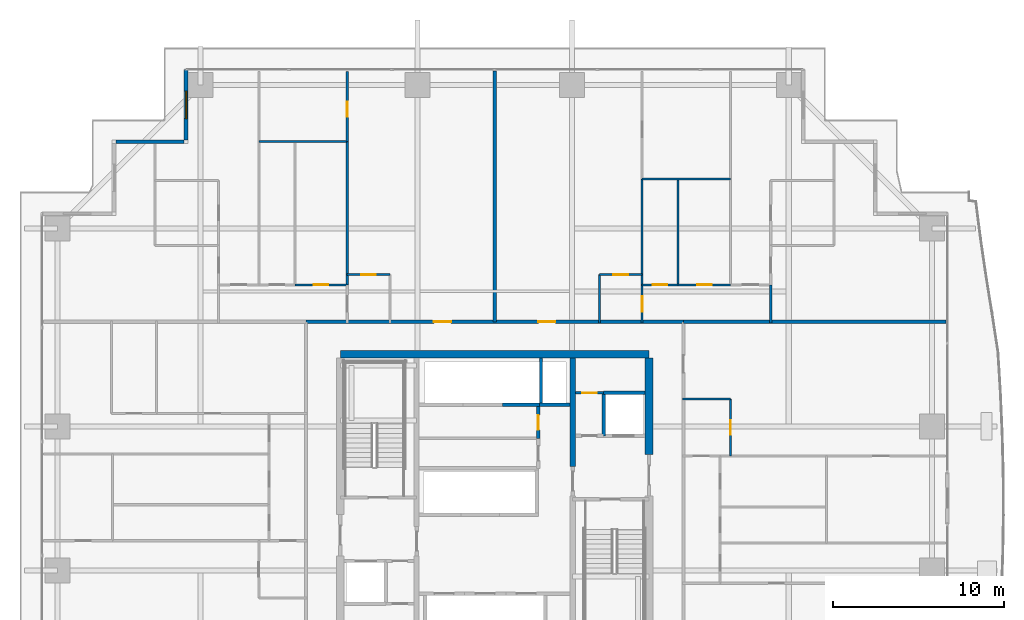
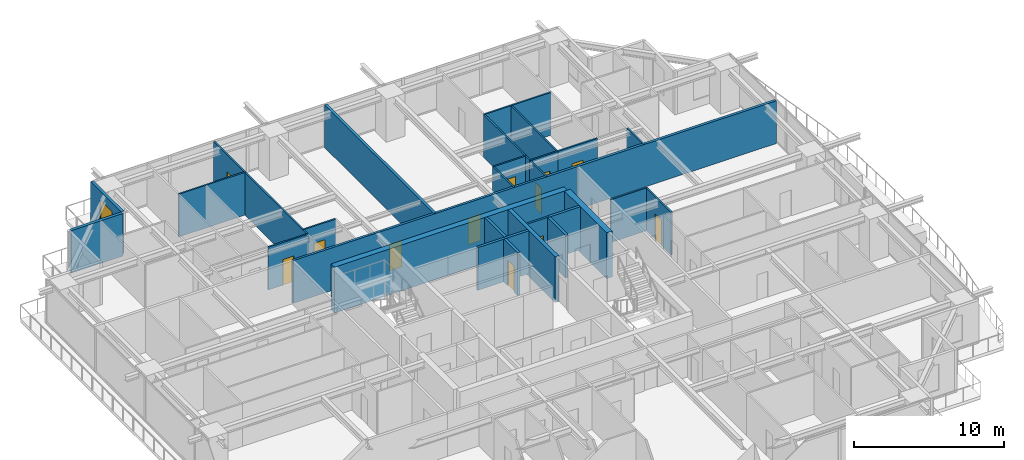
# One storey, part 31 of 39: 31 walls, 12 doors, 1 window, 13 openings.
"""IFC4 building model written with IfcOpenShell, lengths in metres."""

from ifc_helpers import new_model, si_unit, direction, frame, frame_2d, origin, place, context, subcontext, project, spatial, rectangle, extrude, source, transform, mapped, material, layer, layer_set, type_object, element, fill, save


model = new_model("IFC4")

# Units and contexts
model_context = context("Model", 3, precision=1e-05, world=origin(), true_north=direction((0.0, 1.0)))
body_context = subcontext(model_context, "Body", "Model", "MODEL_VIEW")
ifc_project = project(units=[si_unit("LENGTHUNIT", "METRE"), si_unit("AREAUNIT", "SQUARE_METRE"), si_unit("VOLUMEUNIT", "CUBIC_METRE"), si_unit("PLANEANGLEUNIT", "RADIAN"), si_unit("MASSUNIT", "GRAM", prefix="KILO")], contexts=[model_context])

# Site, building, storey
site_placement = place(None, origin())
site = spatial("IfcSite", under=ifc_project, at=site_placement, CompositionType="ELEMENT")
building_placement = place(site_placement, origin())
building = spatial("IfcBuilding", under=site, at=building_placement, Name="Serunith Strait Residences", CompositionType="ELEMENT")
storey_placement = place(building_placement, frame((0.0, 0.0, 94.199951171875)))
storey = spatial("IfcBuildingStorey", under=building, at=storey_placement, Name="L23", CompositionType="ELEMENT", Elevation=94.199951171875)

# Wall, opening, window
ifc_material_1 = material(Name="Pale-Champagne Aluminium Insulated Panel", Category="aluminium")
ifc_layer_1 = layer(ifc_material_1, 0.219970703125, Name="Pale-Champagne Aluminium Insulated Panel")
ifc_layer_set_1 = layer_set([ifc_layer_1], Name="Pale-Champagne Aluminium Insulated Panel")
wall_type_1 = type_object("IfcWallType", Name="EW-ALUM-220", PredefinedType="ELEMENTEDWALL", material=ifc_layer_set_1)
wall_1_placement = place(storey_placement, frame((14.39990234375, 50.199951171875, 0.0), z_axis=(0.0, 0.0, 1.0), x_axis=(0.0, -1.0, 0.0)))
wall_1 = element("IfcWall", 1, at=wall_1_placement, inside=storey, type_object=wall_type_1, Name="L23 Girih Serrated Corner Wall 12", PredefinedType="ELEMENTEDWALL", context=body_context, shape_type="SweptSolid", body=[
    extrude(rectangle(XDim=4.08984375, YDim=0.219970703125, at=frame_2d((2.044921875, 0.0))), origin(), (0.0, 0.0, 1.0), 3.47509765625),
])
opening_1_placement = place(wall_1_placement, frame((1.2451171875, 0.0, 0.64990234375)))
opening_1 = element("IfcOpeningElement", 2, at=opening_1_placement, cuts=wall_1, Name="Opening W-02", PredefinedType="OPENING", context=body_context, shape_type="SweptSolid", body=[
    extrude(rectangle(XDim=1.60009765625, YDim=2.10009765625, at=frame_2d((0.800048828125, 1.050048828125))), frame((0.0, 0.1201171875, 0.0), z_axis=(0.0, -1.0, 0.0), x_axis=(1.0, 0.0, 0.0)), (0.0, 0.0, 1.0), 0.239990234375),
])
ifc_material_2 = material(Name="Ceramic-Fritted Operable Aluminium Window Glass", Category="aluminium")
window_type = type_object("IfcWindowType", Name="WIN-C2", PartitioningType="DOUBLE_PANEL_VERTICAL", PredefinedType="WINDOW", material=ifc_material_2)
shared_shape_1 = source(origin(), body_context, "Body", "SweptSolid", [
    extrude(rectangle(XDim=1.60009765625, YDim=2.10009765625, at=frame_2d((0.800048828125, 1.050048828125))), frame((0.0, 0.030029296875, 0.0), z_axis=(0.0, -1.0, 0.0), x_axis=(1.0, 0.0, 0.0)), (0.0, 0.0, 1.0), 0.06005859375),
])
window_placement = place(opening_1_placement, origin())
window = element("IfcWindow", 3, at=window_placement, inside=storey, type_object=window_type, Name="L23 Corner Operable Fritted Window 12", OverallHeight=2.10009765625, OverallWidth=1.60009765625, PartitioningType="SINGLE_PANEL", PredefinedType="WINDOW", context=body_context, shape_type="MappedRepresentation", body=[
    mapped(shared_shape_1, transform((0.0, 0.0, 0.0), scale=1.0)),
])
fill(opening_1, window)

# Wall
wall_2_placement = place(storey_placement, frame((14.2900390625, 46.0, 0.0), z_axis=(0.0, 0.0, 1.0), x_axis=(-1.0, 0.0, 0.0)))
element("IfcWall", 4, at=wall_2_placement, inside=storey, type_object=wall_type_1, Name="L23 Girih Serrated Corner Wall 13", PredefinedType="ELEMENTEDWALL", context=body_context, shape_type="SweptSolid", body=[
    extrude(rectangle(XDim=3.97998046875, YDim=0.219970703125, at=frame_2d((1.989990234375, 0.0))), origin(), (0.0, 0.0, 1.0), 3.47509765625),
])

# Wall, opening, door
ifc_material_3 = material(Name="Fire-rated masonry service closet wall", Category="masonry")
ifc_layer_2 = layer(ifc_material_3, 0.14990234375, Name="Fire-rated masonry service closet wall")
ifc_layer_set_2 = layer_set([ifc_layer_2], Name="Fire-rated masonry service closet wall")
wall_type_2 = type_object("IfcWallType", Name="IW-BOH-150", PredefinedType="PARTITIONING", material=ifc_layer_set_2)
wall_3_placement = place(storey_placement, frame((37.10009765625, 31.35009765625, 0.0), z_axis=(0.0, 0.0, 1.0), x_axis=(1.0, 0.0, 0.0)))
wall_3 = element("IfcWall", 5, at=wall_3_placement, inside=storey, type_object=wall_type_2, Name="L23 Partition Wall 013", PredefinedType="PARTITIONING", context=body_context, shape_type="SweptSolid", body=[
    extrude(rectangle(XDim=1.64794921875, YDim=0.14990234375, at=frame_2d((0.823974609375, 0.0))), origin(), (0.0, 0.0, 1.0), 3.489990234375),
])
opening_2_placement = place(wall_3_placement, frame((0.39892578125, 0.0, 0.0)))
opening_2 = element("IfcOpeningElement", 6, at=opening_2_placement, cuts=wall_3, Name="Opening FD-850", PredefinedType="OPENING", context=body_context, shape_type="SweptSolid", body=[
    extrude(rectangle(XDim=0.85009765625, YDim=2.10009765625, at=frame_2d((0.425048828125, 1.050048828125))), frame((0.0, 0.0849609375, 0.0), z_axis=(0.0, -1.0, 0.0), x_axis=(1.0, 0.0, 0.0)), (0.0, 0.0, 1.0), 0.169921875),
])
ifc_material_4 = material(Name="Powder-coated steel service closet door", Category="steel")
door_type_1 = type_object("IfcDoorType", Name="FD-BOH-850", OperationType="NOTDEFINED", PredefinedType="DOOR", material=ifc_material_4)
shared_shape_2 = source(origin(), body_context, "Body", "SweptSolid", [
    extrude(rectangle(XDim=0.85009765625, YDim=2.10009765625, at=frame_2d((0.425048828125, 1.050048828125))), frame((0.0, 0.02490234375, 0.0), z_axis=(0.0, -1.0, 0.0), x_axis=(1.0, 0.0, 0.0)), (0.0, 0.0, 1.0), 0.050048828125),
])
door_1_placement = place(opening_2_placement, origin())
door_1 = element("IfcDoor", 7, at=door_1_placement, inside=storey, type_object=door_type_1, Name="L23 Refuse Store Door", OperationType="SINGLE_SWING_LEFT", OverallHeight=2.10009765625, OverallWidth=0.85009765625, PredefinedType="DOOR", context=body_context, shape_type="MappedRepresentation", body=[
    mapped(shared_shape_2, transform((0.0, 0.0, 0.0), scale=1.0)),
])
fill(opening_2, door_1)

# Wall, openings, doors
ifc_material_5 = material(Name="Fire-rated acoustic gypsum partition")
ifc_layer_3 = layer(ifc_material_5, 0.179931640625, Name="Fire-rated acoustic gypsum partition")
ifc_layer_set_3 = layer_set([ifc_layer_3], Name="Fire-rated acoustic gypsum partition")
wall_type_3 = type_object("IfcWallType", Name="IW-CORR-180", PredefinedType="PARTITIONING", material=ifc_layer_set_3)
wall_4_placement = place(storey_placement, frame((21.402099609375, 35.5, 0.0), z_axis=(0.0, 0.0, 1.0), x_axis=(1.0, 0.0, 0.0)))
wall_4 = element("IfcWall", 8, at=wall_4_placement, inside=storey, type_object=wall_type_3, Name="L23 Partition Wall 023", PredefinedType="PARTITIONING", context=body_context, shape_type="SweptSolid", body=[
    extrude(rectangle(XDim=21.995849609375, YDim=0.179931640625, at=frame_2d((10.998046875, 0.0))), origin(), (0.0, 0.0, 1.0), 3.489990234375),
])
opening_3_placement = place(wall_4_placement, frame((7.4541015625, 0.0, 0.0)))
opening_3 = element("IfcOpeningElement", 9, at=opening_3_placement, cuts=wall_4, Name="Opening D-APT1000", PredefinedType="OPENING", context=body_context, shape_type="SweptSolid", body=[
    extrude(rectangle(XDim=1.0, YDim=2.14990234375, at=frame_2d((0.5, 1.074951171875))), frame((0.0, 0.10009765625, 0.0), z_axis=(0.0, -1.0, 0.0), x_axis=(1.0, 0.0, 0.0)), (0.0, 0.0, 1.0), 0.199951171875),
])
opening_4_placement = place(wall_4_placement, frame((13.5419921875, 0.0, 0.0)))
opening_4 = element("IfcOpeningElement", 10, at=opening_4_placement, cuts=wall_4, Name="Opening D-APT1000", PredefinedType="OPENING", context=body_context, shape_type="SweptSolid", body=[
    extrude(rectangle(XDim=1.0, YDim=2.14990234375, at=frame_2d((0.5, 1.074951171875))), frame((0.0, 0.10009765625, 0.0), z_axis=(0.0, -1.0, 0.0), x_axis=(1.0, 0.0, 0.0)), (0.0, 0.0, 1.0), 0.199951171875),
])
ifc_material_6 = material(Name="Solid timber engineered fire door", Category="wood")
door_type_2 = type_object("IfcDoorType", Name="ID-APT-1000", OperationType="NOTDEFINED", PredefinedType="DOOR", material=ifc_material_6)
shared_shape_3 = source(origin(), body_context, "Body", "SweptSolid", [
    extrude(rectangle(XDim=1.0, YDim=2.14990234375, at=frame_2d((0.5, 1.074951171875))), frame((0.0, 0.02490234375, 0.0), z_axis=(0.0, -1.0, 0.0), x_axis=(1.0, 0.0, 0.0)), (0.0, 0.0, 1.0), 0.050048828125),
])
door_2_placement = place(opening_3_placement, origin())
door_2 = element("IfcDoor", 11, at=door_2_placement, inside=storey, type_object=door_type_2, Name="L23 Unit 02 Entrance Door", OperationType="SINGLE_SWING_LEFT", OverallHeight=2.14990234375, OverallWidth=1.0, PredefinedType="DOOR", context=body_context, shape_type="MappedRepresentation", body=[
    mapped(shared_shape_3, transform((0.0, 0.0, 0.0), scale=1.0)),
])
fill(opening_3, door_2)
door_3_placement = place(opening_4_placement, origin())
door_3 = element("IfcDoor", 12, at=door_3_placement, inside=storey, type_object=door_type_2, Name="L23 Unit 03 Entrance Door", OperationType="SINGLE_SWING_RIGHT", OverallHeight=2.14990234375, OverallWidth=1.0, PredefinedType="DOOR", context=body_context, shape_type="MappedRepresentation", body=[
    mapped(shared_shape_3, transform((0.0, 0.0, 0.0), scale=1.0)),
])
fill(opening_4, door_3)

# Wall, opening, door
ifc_material_7 = material(Name="Lightweight steel-stud gypsum partition", Category="steel")
ifc_layer_4 = layer(ifc_material_7, 0.1201171875, Name="Lightweight steel-stud gypsum partition")
ifc_layer_set_4 = layer_set([ifc_layer_4], Name="Lightweight steel-stud gypsum partition")
wall_type_4 = type_object("IfcWallType", Name="IW-PART-120", PredefinedType="PARTITIONING", material=ifc_layer_set_4)
wall_5_placement = place(storey_placement, frame((23.800048828125, 38.25, 0.0), z_axis=(0.0, 0.0, 1.0), x_axis=(1.0, 0.0, 0.0)))
wall_5 = element("IfcWall", 13, at=wall_5_placement, inside=storey, type_object=wall_type_4, Name="L23 Partition Wall 058", PredefinedType="PARTITIONING", context=body_context, shape_type="SweptSolid", body=[
    extrude(rectangle(XDim=2.5, YDim=0.1201171875, at=frame_2d((1.25, 0.0))), origin(), (0.0, 0.0, 1.0), 3.489990234375),
])
opening_5_placement = place(wall_5_placement, frame((0.824951171875, 0.0, 0.0)))
opening_5 = element("IfcOpeningElement", 14, at=opening_5_placement, cuts=wall_5, Name="Opening D-RM850", PredefinedType="OPENING", context=body_context, shape_type="SweptSolid", body=[
    extrude(rectangle(XDim=0.85009765625, YDim=2.10009765625, at=frame_2d((0.425048828125, 1.050048828125))), frame((0.0, 0.070068359375, 0.0), z_axis=(0.0, -1.0, 0.0), x_axis=(1.0, 0.0, 0.0)), (0.0, 0.0, 1.0), 0.14013671875),
])
ifc_material_8 = material(Name="Engineered timber flush study and kitchen door", Category="wood")
door_type_3 = type_object("IfcDoorType", Name="ID-ROOM-850", OperationType="NOTDEFINED", PredefinedType="DOOR", material=ifc_material_8)
door_4_placement = place(opening_5_placement, origin())
door_4 = element("IfcDoor", 15, at=door_4_placement, inside=storey, type_object=door_type_3, Name="L23 Kitchen 2302 Door", OperationType="SINGLE_SWING_RIGHT", OverallHeight=2.10009765625, OverallWidth=0.85009765625, PredefinedType="DOOR", context=body_context, shape_type="MappedRepresentation", body=[
    mapped(shared_shape_2, transform((0.0, 0.0, 0.0), scale=1.0)),
])
fill(opening_5, door_4)

wall_6_placement = place(storey_placement, frame((23.800048828125, 50.10498046875, 0.0), z_axis=(0.0, 0.0, 1.0), x_axis=(0.0, -1.0, 0.0)))
wall_6 = element("IfcWall", 16, at=wall_6_placement, inside=storey, type_object=wall_type_4, Name="L23 Partition Wall 061", PredefinedType="PARTITIONING", context=body_context, shape_type="SweptSolid", body=[
    extrude(rectangle(XDim=4.10009765625, YDim=0.1201171875, at=frame_2d((2.050048828125, 0.0))), origin(), (0.0, 0.0, 1.0), 3.489990234375),
])
opening_6_placement = place(wall_6_placement, frame((1.760009765625, 0.0, 0.0)))
opening_6 = element("IfcOpeningElement", 17, at=opening_6_placement, cuts=wall_6, Name="Opening D-RM900", PredefinedType="OPENING", context=body_context, shape_type="SweptSolid", body=[
    extrude(rectangle(XDim=0.89990234375, YDim=2.10009765625, at=frame_2d((0.449951171875, 1.050048828125))), frame((0.0, 0.070068359375, 0.0), z_axis=(0.0, -1.0, 0.0), x_axis=(1.0, 0.0, 0.0)), (0.0, 0.0, 1.0), 0.14013671875),
])
ifc_material_9 = material(Name="Engineered timber flush bedroom door", Category="wood")
door_type_4 = type_object("IfcDoorType", Name="ID-ROOM-900", OperationType="NOTDEFINED", PredefinedType="DOOR", material=ifc_material_9)
shared_shape_4 = source(origin(), body_context, "Body", "SweptSolid", [
    extrude(rectangle(XDim=0.89990234375, YDim=2.10009765625, at=frame_2d((0.449951171875, 1.050048828125))), frame((0.0, 0.02490234375, 0.0), z_axis=(0.0, -1.0, 0.0), x_axis=(1.0, 0.0, 0.0)), (0.0, 0.0, 1.0), 0.050048828125),
])
door_5_placement = place(opening_6_placement, origin())
door_5 = element("IfcDoor", 18, at=door_5_placement, inside=storey, type_object=door_type_4, Name="L23 Study 1 2302 Door", OperationType="SINGLE_SWING_RIGHT", OverallHeight=2.10009765625, OverallWidth=0.89990234375, PredefinedType="DOOR", context=body_context, shape_type="MappedRepresentation", body=[
    mapped(shared_shape_4, transform((0.0, 0.0, 0.0), scale=1.0)),
])
fill(opening_6, door_5)

# Walls
wall_7_placement = place(storey_placement, frame((23.800048828125, 46.0029296875, 0.0), z_axis=(0.0, 0.0, 1.0), x_axis=(0.0, -1.0, 0.0)))
element("IfcWall", 19, at=wall_7_placement, inside=storey, type_object=wall_type_4, Name="L23 Partition Wall 062", PredefinedType="PARTITIONING", context=body_context, shape_type="SweptSolid", body=[
    extrude(rectangle(XDim=8.350830078125, YDim=0.1201171875, at=frame_2d((4.17529296875, 0.0))), origin(), (0.0, 0.0, 1.0), 3.489990234375),
])
wall_8_placement = place(storey_placement, frame((18.64990234375, 46.0048828125, 0.0), z_axis=(0.0, 0.0, 1.0), x_axis=(1.0, 0.0, 0.0)))
element("IfcWall", 20, at=wall_8_placement, inside=storey, type_object=wall_type_4, Name="L23 Partition Wall 063", PredefinedType="PARTITIONING", context=body_context, shape_type="SweptSolid", body=[
    extrude(rectangle(XDim=5.150146484375, YDim=0.1201171875, at=frame_2d((2.5751953125, 0.0))), origin(), (0.0, 0.0, 1.0), 3.489990234375),
])

# Wall, opening, door
wall_9_placement = place(storey_placement, frame((20.751953125, 37.64990234375, 0.0), z_axis=(0.0, 0.0, 1.0), x_axis=(1.0, 0.0, 0.0)))
wall_9 = element("IfcWall", 21, at=wall_9_placement, inside=storey, type_object=wall_type_4, Name="L23 Partition Wall 067", PredefinedType="PARTITIONING", context=body_context, shape_type="SweptSolid", body=[
    extrude(rectangle(XDim=3.048095703125, YDim=0.1201171875, at=frame_2d((1.52392578125, 0.0))), origin(), (0.0, 0.0, 1.0), 3.489990234375),
])
opening_7_placement = place(wall_9_placement, frame((1.09912109375, 0.0, 0.0)))
opening_7 = element("IfcOpeningElement", 22, at=opening_7_placement, cuts=wall_9, Name="Opening D-RM850", PredefinedType="OPENING", context=body_context, shape_type="SweptSolid", body=[
    extrude(rectangle(XDim=0.85009765625, YDim=2.10009765625, at=frame_2d((0.425048828125, 1.050048828125))), frame((0.0, 0.070068359375, 0.0), z_axis=(0.0, -1.0, 0.0), x_axis=(1.0, 0.0, 0.0)), (0.0, 0.0, 1.0), 0.14013671875),
])
door_6_placement = place(opening_7_placement, origin())
door_6 = element("IfcDoor", 23, at=door_6_placement, inside=storey, type_object=door_type_3, Name="L23 Study 2302 Door", OperationType="SINGLE_SWING_RIGHT", OverallHeight=2.10009765625, OverallWidth=0.85009765625, PredefinedType="DOOR", context=body_context, shape_type="MappedRepresentation", body=[
    mapped(shared_shape_2, transform((0.0, 0.0, 0.0), scale=1.0)),
])
fill(opening_7, door_6)

wall_10_placement = place(storey_placement, frame((38.5, 38.25, 0.0), z_axis=(0.0, 0.0, 1.0), x_axis=(1.0, 0.0, 0.0)))
wall_10 = element("IfcWall", 24, at=wall_10_placement, inside=storey, type_object=wall_type_4, Name="L23 Partition Wall 075", PredefinedType="PARTITIONING", context=body_context, shape_type="SweptSolid", body=[
    extrude(rectangle(XDim=2.5, YDim=0.1201171875, at=frame_2d((1.25, 0.0))), origin(), (0.0, 0.0, 1.0), 3.489990234375),
])
opening_8_placement = place(wall_10_placement, frame((0.824951171875, 0.0, 0.0)))
opening_8 = element("IfcOpeningElement", 25, at=opening_8_placement, cuts=wall_10, Name="Opening D-RM850", PredefinedType="OPENING", context=body_context, shape_type="SweptSolid", body=[
    extrude(rectangle(XDim=0.85009765625, YDim=2.10009765625, at=frame_2d((0.425048828125, 1.050048828125))), frame((0.0, 0.070068359375, 0.0), z_axis=(0.0, -1.0, 0.0), x_axis=(1.0, 0.0, 0.0)), (0.0, 0.0, 1.0), 0.14013671875),
])
door_7_placement = place(opening_8_placement, origin())
door_7 = element("IfcDoor", 26, at=door_7_placement, inside=storey, type_object=door_type_3, Name="L23 Kitchen 2303 Door", OperationType="SINGLE_SWING_RIGHT", OverallHeight=2.10009765625, OverallWidth=0.85009765625, PredefinedType="DOOR", context=body_context, shape_type="MappedRepresentation", body=[
    mapped(shared_shape_2, transform((0.0, 0.0, 0.0), scale=1.0)),
])
fill(opening_8, door_7)

# Wall
wall_11_placement = place(storey_placement, frame((38.5, 38.25, 0.0), z_axis=(0.0, 0.0, 1.0), x_axis=(0.0, -1.0, 0.0)))
element("IfcWall", 27, at=wall_11_placement, inside=storey, type_object=wall_type_4, Name="L23 Partition Wall 076", PredefinedType="PARTITIONING", context=body_context, shape_type="SweptSolid", body=[
    extrude(rectangle(XDim=2.81005859375, YDim=0.1201171875, at=frame_2d((1.405029296875, 0.0))), origin(), (0.0, 0.0, 1.0), 3.489990234375),
])

# Wall, opening, door
wall_12_placement = place(storey_placement, frame((41.0, 37.64990234375, 0.0), z_axis=(0.0, 0.0, 1.0), x_axis=(0.0, -1.0, 0.0)))
wall_12 = element("IfcWall", 28, at=wall_12_placement, inside=storey, type_object=wall_type_4, Name="L23 Partition Wall 077", PredefinedType="PARTITIONING", context=body_context, shape_type="SweptSolid", body=[
    extrude(rectangle(XDim=2.2099609375, YDim=0.1201171875, at=frame_2d((1.10498046875, 0.0))), origin(), (0.0, 0.0, 1.0), 3.489990234375),
])
opening_9_placement = place(wall_12_placement, frame((0.655029296875, 0.0, 0.0)))
opening_9 = element("IfcOpeningElement", 29, at=opening_9_placement, cuts=wall_12, Name="Opening D-RM900", PredefinedType="OPENING", context=body_context, shape_type="SweptSolid", body=[
    extrude(rectangle(XDim=0.89990234375, YDim=2.10009765625, at=frame_2d((0.449951171875, 1.050048828125))), frame((0.0, 0.070068359375, 0.0), z_axis=(0.0, -1.0, 0.0), x_axis=(1.0, 0.0, 0.0)), (0.0, 0.0, 1.0), 0.14013671875),
])
door_8_placement = place(opening_9_placement, origin())
door_8 = element("IfcDoor", 30, at=door_8_placement, inside=storey, type_object=door_type_4, Name="L23 Hall E 2303 Door", OperationType="SINGLE_SWING_LEFT", OverallHeight=2.10009765625, OverallWidth=0.89990234375, PredefinedType="DOOR", context=body_context, shape_type="MappedRepresentation", body=[
    mapped(shared_shape_4, transform((0.0, 0.0, 0.0), scale=1.0)),
])
fill(opening_9, door_8)

# Walls
wall_13_placement = place(storey_placement, frame((41.0, 43.833984375, 0.0), z_axis=(0.0, 0.0, 1.0), x_axis=(0.0, -1.0, 0.0)))
element("IfcWall", 31, at=wall_13_placement, inside=storey, type_object=wall_type_4, Name="L23 Partition Wall 079", PredefinedType="PARTITIONING", context=body_context, shape_type="SweptSolid", body=[
    extrude(rectangle(XDim=6.181884765625, YDim=0.1201171875, at=frame_2d((3.0908203125, 0.0))), origin(), (0.0, 0.0, 1.0), 3.489990234375),
])
wall_14_placement = place(storey_placement, frame((41.0, 43.8359375, 0.0), z_axis=(0.0, 0.0, 1.0), x_axis=(1.0, 0.0, 0.0)))
element("IfcWall", 32, at=wall_14_placement, inside=storey, type_object=wall_type_4, Name="L23 Partition Wall 080", PredefinedType="PARTITIONING", context=body_context, shape_type="SweptSolid", body=[
    extrude(rectangle(XDim=5.14990234375, YDim=0.1201171875, at=frame_2d((2.574951171875, 0.0))), origin(), (0.0, 0.0, 1.0), 3.489990234375),
])
wall_15_placement = place(storey_placement, frame((43.10009765625, 43.8359375, 0.0), z_axis=(0.0, 0.0, 1.0), x_axis=(0.0, -1.0, 0.0)))
element("IfcWall", 33, at=wall_15_placement, inside=storey, type_object=wall_type_4, Name="L23 Partition Wall 082", PredefinedType="PARTITIONING", context=body_context, shape_type="SweptSolid", body=[
    extrude(rectangle(XDim=6.18603515625, YDim=0.1201171875, at=frame_2d((3.093017578125, 0.0))), origin(), (0.0, 0.0, 1.0), 3.489990234375),
])

# Wall, opening, door
wall_16_placement = place(storey_placement, frame((41.0, 37.64990234375, 0.0), z_axis=(0.0, 0.0, 1.0), x_axis=(1.0, 0.0, 0.0)))
wall_16 = element("IfcWall", 34, at=wall_16_placement, inside=storey, type_object=wall_type_4, Name="L23 Partition Wall 083", PredefinedType="PARTITIONING", context=body_context, shape_type="SweptSolid", body=[
    extrude(rectangle(XDim=2.10009765625, YDim=0.1201171875, at=frame_2d((1.050048828125, 0.0))), origin(), (0.0, 0.0, 1.0), 3.489990234375),
])
opening_10_placement = place(wall_16_placement, frame((0.625, 0.0, 0.0)))
opening_10 = element("IfcOpeningElement", 35, at=opening_10_placement, cuts=wall_16, Name="Opening D-BTH850", PredefinedType="OPENING", context=body_context, shape_type="SweptSolid", body=[
    extrude(rectangle(XDim=0.85009765625, YDim=2.10009765625, at=frame_2d((0.425048828125, 1.050048828125))), frame((0.0, 0.070068359375, 0.0), z_axis=(0.0, -1.0, 0.0), x_axis=(1.0, 0.0, 0.0)), (0.0, 0.0, 1.0), 0.14013671875),
])
ifc_material_10 = material(Name="Moisture-resistant timber bathroom door", Category="wood")
door_type_5 = type_object("IfcDoorType", Name="ID-BATH-850", OperationType="NOTDEFINED", PredefinedType="DOOR", material=ifc_material_10)
door_9_placement = place(opening_10_placement, origin())
door_9 = element("IfcDoor", 36, at=door_9_placement, inside=storey, type_object=door_type_5, Name="L23 Bathroom 2303 Door", OperationType="SINGLE_SWING_LEFT", OverallHeight=2.10009765625, OverallWidth=0.85009765625, PredefinedType="DOOR", context=body_context, shape_type="MappedRepresentation", body=[
    mapped(shared_shape_2, transform((0.0, 0.0, 0.0), scale=1.0)),
])
fill(opening_10, door_9)

wall_17_placement = place(storey_placement, frame((43.10205078125, 37.64990234375, 0.0), z_axis=(0.0, 0.0, 1.0), x_axis=(1.0, 0.0, 0.0)))
wall_17 = element("IfcWall", 37, at=wall_17_placement, inside=storey, type_object=wall_type_4, Name="L23 Partition Wall 084", PredefinedType="PARTITIONING", context=body_context, shape_type="SweptSolid", body=[
    extrude(rectangle(XDim=3.0478515625, YDim=0.1201171875, at=frame_2d((1.52392578125, 0.0))), origin(), (0.0, 0.0, 1.0), 3.489990234375),
])
opening_11_placement = place(wall_17_placement, frame((1.09912109375, 0.0, 0.0)))
opening_11 = element("IfcOpeningElement", 38, at=opening_11_placement, cuts=wall_17, Name="Opening D-RM850", PredefinedType="OPENING", context=body_context, shape_type="SweptSolid", body=[
    extrude(rectangle(XDim=0.85009765625, YDim=2.10009765625, at=frame_2d((0.425048828125, 1.050048828125))), frame((0.0, 0.070068359375, 0.0), z_axis=(0.0, -1.0, 0.0), x_axis=(1.0, 0.0, 0.0)), (0.0, 0.0, 1.0), 0.14013671875),
])
door_10_placement = place(opening_11_placement, origin())
door_10 = element("IfcDoor", 39, at=door_10_placement, inside=storey, type_object=door_type_3, Name="L23 Laundry Room 2303 Door", OperationType="SINGLE_SWING_RIGHT", OverallHeight=2.10009765625, OverallWidth=0.85009765625, PredefinedType="DOOR", context=body_context, shape_type="MappedRepresentation", body=[
    mapped(shared_shape_2, transform((0.0, 0.0, 0.0), scale=1.0)),
])
fill(opening_11, door_10)

# Wall
wall_18_placement = place(storey_placement, frame((48.5, 37.64794921875, 0.0), z_axis=(0.0, 0.0, 1.0), x_axis=(0.0, -1.0, 0.0)))
element("IfcWall", 40, at=wall_18_placement, inside=storey, type_object=wall_type_4, Name="L23 Partition Wall 091", PredefinedType="PARTITIONING", context=body_context, shape_type="SweptSolid", body=[
    extrude(rectangle(XDim=2.2080078125, YDim=0.1201171875, at=frame_2d((1.10400390625, 0.0))), origin(), (0.0, 0.0, 1.0), 3.489990234375),
])

# Wall, opening, door
wall_19_placement = place(storey_placement, frame((46.14990234375, 27.669921875, 0.0), z_axis=(0.0, 0.0, 1.0), x_axis=(0.0, 1.0, 0.0)))
wall_19 = element("IfcWall", 41, at=wall_19_placement, inside=storey, type_object=wall_type_4, Name="L23 Partition Wall 108", PredefinedType="PARTITIONING", context=body_context, shape_type="SweptSolid", body=[
    extrude(rectangle(XDim=3.330078125, YDim=0.1201171875, at=frame_2d((1.6650390625, 0.0))), origin(), (0.0, 0.0, 1.0), 3.489990234375),
])
opening_12_placement = place(wall_19_placement, frame((1.239990234375, 0.0, 0.0)))
opening_12 = element("IfcOpeningElement", 42, at=opening_12_placement, cuts=wall_19, Name="Opening D-RM850", PredefinedType="OPENING", context=body_context, shape_type="SweptSolid", body=[
    extrude(rectangle(XDim=0.85009765625, YDim=2.10009765625, at=frame_2d((0.425048828125, 1.050048828125))), frame((0.0, 0.070068359375, 0.0), z_axis=(0.0, -1.0, 0.0), x_axis=(1.0, 0.0, 0.0)), (0.0, 0.0, 1.0), 0.14013671875),
])
door_11_placement = place(opening_12_placement, origin())
door_11 = element("IfcDoor", 43, at=door_11_placement, inside=storey, type_object=door_type_3, Name="L23 Kitchen 2305 Door", OperationType="SINGLE_SWING_RIGHT", OverallHeight=2.10009765625, OverallWidth=0.85009765625, PredefinedType="DOOR", context=body_context, shape_type="MappedRepresentation", body=[
    mapped(shared_shape_2, transform((0.0, 0.0, 0.0), scale=1.0)),
])
fill(opening_12, door_11)

# Walls
wall_20_placement = place(storey_placement, frame((46.14990234375, 31.0, 0.0), z_axis=(0.0, 0.0, 1.0), x_axis=(-1.0, 0.0, 0.0)))
element("IfcWall", 44, at=wall_20_placement, inside=storey, type_object=wall_type_4, Name="L23 Partition Wall 109", PredefinedType="PARTITIONING", context=body_context, shape_type="SweptSolid", body=[
    extrude(rectangle(XDim=2.809814453125, YDim=0.1201171875, at=frame_2d((1.40478515625, 0.0))), origin(), (0.0, 0.0, 1.0), 3.489990234375),
])
ifc_material_11 = material(Name="Twin-stud acoustic gypsum board partition")
ifc_layer_5 = layer(ifc_material_11, 0.199951171875, Name="Twin-stud acoustic gypsum board partition")
ifc_layer_set_5 = layer_set([ifc_layer_5], Name="Twin-stud acoustic gypsum board partition")
wall_type_5 = type_object("IfcWallType", Name="IW-PARTY-200", PredefinedType="PARTITIONING", material=ifc_layer_set_5)
wall_21_placement = place(storey_placement, frame((32.39990234375, 35.5, 0.0), z_axis=(0.0, 0.0, 1.0), x_axis=(0.0, 1.0, 0.0)))
element("IfcWall", 45, at=wall_21_placement, inside=storey, type_object=wall_type_5, Name="L23 Partition Wall 017", PredefinedType="PARTITIONING", context=body_context, shape_type="SweptSolid", body=[
    extrude(rectangle(XDim=14.617919921875, YDim=0.199951171875, at=frame_2d((7.30908203125, 0.0))), origin(), (0.0, 0.0, 1.0), 3.489990234375),
])
wall_22_placement = place(storey_placement, frame((43.39990234375, 35.5, 0.0), z_axis=(0.0, 0.0, 1.0), x_axis=(1.0, 0.0, 0.0)))
element("IfcWall", 46, at=wall_22_placement, inside=storey, type_object=wall_type_5, Name="L23 Partition Wall 021", PredefinedType="PARTITIONING", context=body_context, shape_type="SweptSolid", body=[
    extrude(rectangle(XDim=15.318115234375, YDim=0.199951171875, at=frame_2d((7.6591796875, 0.0))), origin(), (0.0, 0.0, 1.0), 3.489990234375),
])
ifc_material_12 = material(Name="Autoclaved aerated concrete blockwork", Category="masonry")
ifc_layer_6 = layer(ifc_material_12, 0.199951171875, Name="Autoclaved aerated concrete blockwork")
ifc_layer_set_6 = layer_set([ifc_layer_6], Name="Autoclaved aerated concrete blockwork")
wall_type_6 = type_object("IfcWallType", Name="IW-SHAFT-200", PredefinedType="STANDARD", material=ifc_layer_set_6)
wall_23_placement = place(storey_placement, frame((32.85009765625, 30.64990234375, 0.0), z_axis=(0.0, 0.0, 1.0), x_axis=(1.0, 0.0, 0.0)))
element("IfcWall", 47, at=wall_23_placement, inside=storey, type_object=wall_type_6, Name="L23 PL-9 South Shaft Wall", PredefinedType="STANDARD", context=body_context, shape_type="SweptSolid", body=[
    extrude(rectangle(XDim=2.14990234375, YDim=0.199951171875, at=frame_2d((1.074951171875, 0.0))), origin(), (0.0, 0.0, 1.0), 3.489990234375),
])
wall_24_placement = place(storey_placement, frame((35.0, 30.64990234375, 0.0), z_axis=(0.0, 0.0, 1.0), x_axis=(1.0, 0.0, 0.0)))
element("IfcWall", 48, at=wall_24_placement, inside=storey, type_object=wall_type_6, Name="L23 SL-1 South Shaft Wall", PredefinedType="STANDARD", context=body_context, shape_type="SweptSolid", body=[
    extrude(rectangle(XDim=1.800048828125, YDim=0.199951171875, at=frame_2d((0.89990234375, 0.0))), origin(), (0.0, 0.0, 1.0), 3.489990234375),
])
wall_25_placement = place(storey_placement, frame((35.10009765625, 30.75, 0.0), z_axis=(0.0, 0.0, 1.0), x_axis=(0.0, 1.0, 0.0)))
element("IfcWall", 49, at=wall_25_placement, inside=storey, type_object=wall_type_6, Name="L23 SL-1 West Shaft Wall", PredefinedType="STANDARD", context=body_context, shape_type="SweptSolid", body=[
    extrude(rectangle(XDim=2.625, YDim=0.199951171875, at=frame_2d((1.3125, 0.0))), origin(), (0.0, 0.0, 1.0), 3.489990234375),
])
wall_26_placement = place(storey_placement, frame((38.75, 28.85009765625, 0.0), z_axis=(0.0, 0.0, 1.0), x_axis=(0.0, 1.0, 0.0)))
element("IfcWall", 50, at=wall_26_placement, inside=storey, type_object=wall_type_6, Name="L23 Partition Wall 004", PredefinedType="STANDARD", context=body_context, shape_type="SweptSolid", body=[
    extrude(rectangle(XDim=2.5, YDim=0.199951171875, at=frame_2d((1.25, 0.0))), origin(), (0.0, 0.0, 1.0), 3.489990234375),
])
wall_27_placement = place(storey_placement, frame((38.75, 31.35009765625, 0.0), z_axis=(0.0, 0.0, 1.0), x_axis=(1.0, 0.0, 0.0)))
element("IfcWall", 51, at=wall_27_placement, inside=storey, type_object=wall_type_6, Name="L23 Partition Wall 005", PredefinedType="STANDARD", context=body_context, shape_type="SweptSolid", body=[
    extrude(rectangle(XDim=2.425048828125, YDim=0.199951171875, at=frame_2d((1.21240234375, 0.0))), origin(), (0.0, 0.0, 1.0), 3.489990234375),
])

# Wall, opening, door
wall_28_placement = place(storey_placement, frame((34.949951171875, 28.701904296875, 0.0), z_axis=(0.0, 0.0, 1.0), x_axis=(0.0, 1.0, 0.0)))
wall_28 = element("IfcWall", 52, at=wall_28_placement, inside=storey, type_object=wall_type_6, Name="L23 Partition Wall 015", PredefinedType="STANDARD", context=body_context, shape_type="SweptSolid", body=[
    extrude(rectangle(XDim=1.84814453125, YDim=0.199951171875, at=frame_2d((0.924072265625, 0.0))), origin(), (0.0, 0.0, 1.0), 3.489990234375),
])
opening_13_placement = place(wall_28_placement, frame((0.4990234375, 0.0, 0.0)))
opening_13 = element("IfcOpeningElement", 53, at=opening_13_placement, cuts=wall_28, Name="Opening FD-850", PredefinedType="OPENING", context=body_context, shape_type="SweptSolid", body=[
    extrude(rectangle(XDim=0.85009765625, YDim=2.10009765625, at=frame_2d((0.425048828125, 1.050048828125))), frame((0.0, 0.10986328125, 0.0), z_axis=(0.0, -1.0, 0.0), x_axis=(1.0, 0.0, 0.0)), (0.0, 0.0, 1.0), 0.219970703125),
])
door_12_placement = place(opening_13_placement, origin())
door_12 = element("IfcDoor", 54, at=door_12_placement, inside=storey, type_object=door_type_1, Name="L23 Smoke Control Fan Door", OperationType="SINGLE_SWING_LEFT", OverallHeight=2.10009765625, OverallWidth=0.85009765625, PredefinedType="DOOR", context=body_context, shape_type="MappedRepresentation", body=[
    mapped(shared_shape_2, transform((0.0, 0.0, 0.0), scale=1.0)),
])
fill(opening_13, door_12)

# Walls
ifc_material_13 = material(Name="Concrete C80/95", Category="concrete")
ifc_layer_7 = layer(ifc_material_13, 0.300048828125, Name="Concrete C80/95")
ifc_layer_set_7 = layer_set([ifc_layer_7], Name="Concrete C80/95")
wall_type_7 = type_object("IfcWallType", Name="SW-300-C80", PredefinedType="SHEAR", material=ifc_layer_set_7)
wall_29_placement = place(storey_placement, frame((36.949951171875, 27.050048828125, -0.260009765625), z_axis=(0.0, 0.0, 1.0), x_axis=(0.0, 1.0, 0.0)))
element("IfcWall", 55, at=wall_29_placement, inside=storey, type_object=wall_type_7, Name="L23 Core Internal East Web North Pier", PredefinedType="SHEAR", context=body_context, shape_type="SweptSolid", body=[
    extrude(rectangle(XDim=6.324951171875, YDim=0.300048828125, at=frame_2d((3.16259765625, 0.0))), origin(), (0.0, 0.0, 1.0), 3.748046875),
])
ifc_layer_8 = layer(ifc_material_13, 0.449951171875, Name="Concrete C80/95")
ifc_layer_set_8 = layer_set([ifc_layer_8], Name="Concrete C80/95")
wall_type_8 = type_object("IfcWallType", Name="SW-450-C80", PredefinedType="SHEAR", material=ifc_layer_set_8)
wall_30_placement = place(storey_placement, frame((41.39990234375, 33.60009765625, -0.260009765625), z_axis=(0.0, 0.0, 1.0), x_axis=(-1.0, 0.0, 0.0)))
element("IfcWall", 56, at=wall_30_placement, inside=storey, type_object=wall_type_8, Name="L23 Core North Shear Wall", PredefinedType="SHEAR", context=body_context, shape_type="SweptSolid", body=[
    extrude(rectangle(XDim=18.0, YDim=0.449951171875, at=frame_2d((9.0, 0.0))), origin(), (0.0, 0.0, 1.0), 3.748046875),
])
wall_31_placement = place(storey_placement, frame((41.39990234375, 27.75, -0.260009765625), z_axis=(0.0, 0.0, 1.0), x_axis=(0.0, 1.0, 0.0)))
element("IfcWall", 57, at=wall_31_placement, inside=storey, type_object=wall_type_8, Name="L23 Core East Shear Wall North Pier", PredefinedType="SHEAR", context=body_context, shape_type="SweptSolid", body=[
    extrude(rectangle(XDim=5.625, YDim=0.449951171875, at=frame_2d((2.8125, 0.0))), origin(), (0.0, 0.0, 1.0), 3.748046875),
])

save(model, "model.ifc")
